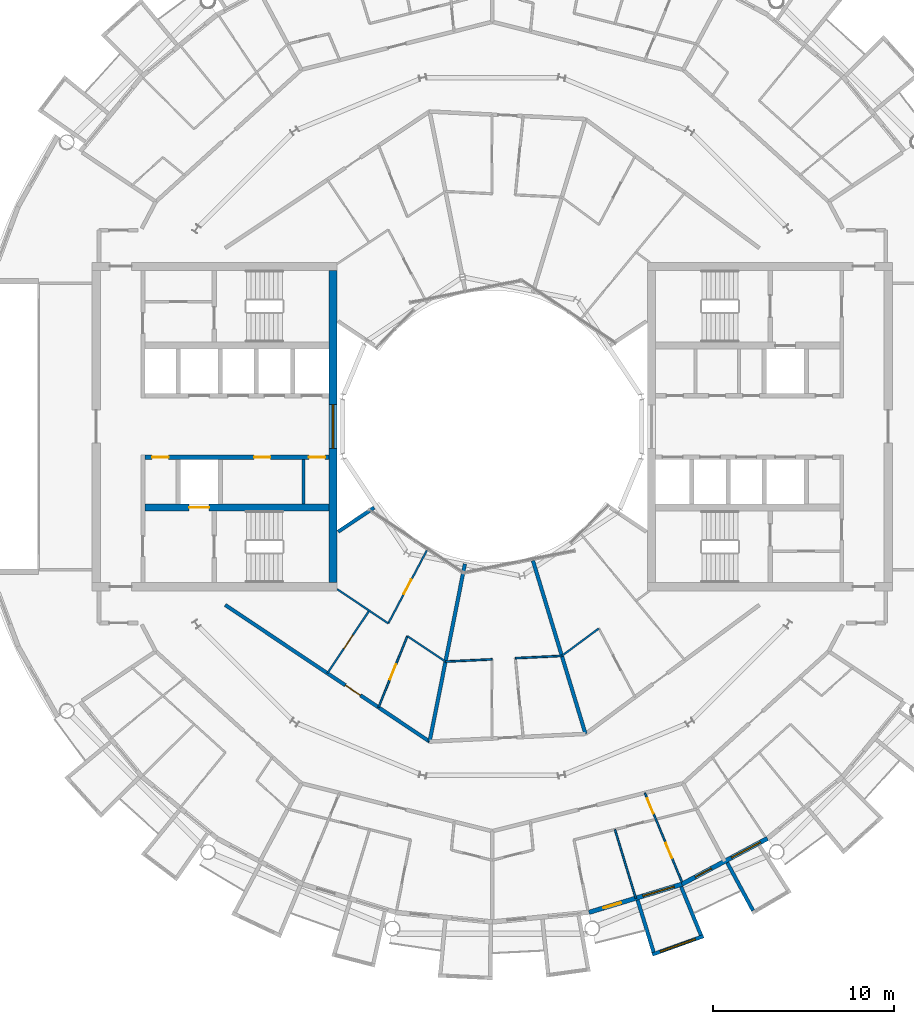
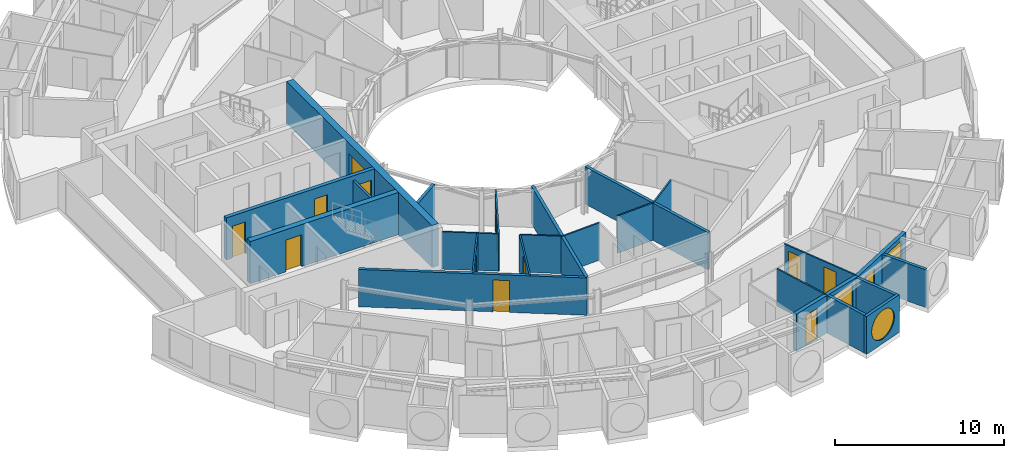
# One storey, part 17 of 29: 24 walls, 12 doors, 4 windows, 16 openings.
"""IFC4 building model written with IfcOpenShell, lengths in metres."""

import ifcopenshell
import ifcopenshell.guid

model = None  # the IFC model being written
_history = None  # IfcOwnerHistory: only IFC2X3 demands one
_inside = {}  # id of a spatial element -> (the spatial element, [elements in it])
_under = {}  # id of a project, library or spatial element -> (it, [spatial elements below it])
_declared = {}  # id of a project -> (the project, [libraries it declares])
_typed = {}  # id of a type object -> (the type object, [elements of that type])
_made_of = {}  # id of a material, layer set ... -> (it, [elements and type objects made of it])


def new_model(schema):
    """Start an empty IFC model of exactly this schema.

    Asked for "IFC4X3", IfcOpenShell would pick the latest addendum, in which some entities
    have other attributes; the version numbers below select the first issue.
    IFC2X3 requires an IfcOwnerHistory on every rooted entity: one is made here for all.
    """
    global model, _history
    if schema == "IFC4X3":
        model = ifcopenshell.file(schema_version=(4, 3, 0, 0))
    else:
        model = ifcopenshell.file(schema=schema)
    _inside.clear()
    _under.clear()
    _declared.clear()
    _typed.clear()
    _made_of.clear()
    _history = None
    if model.schema == "IFC2X3":
        org = make("IfcOrganization", Name="unknown")
        user = make(
            "IfcPersonAndOrganization",
            ThePerson=make("IfcPerson", FamilyName="unknown"),
            TheOrganization=org,
        )
        app = make(
            "IfcApplication",
            ApplicationDeveloper=org,
            Version="unknown",
            ApplicationFullName="unknown",
            ApplicationIdentifier="unknown",
        )
        _history = make(
            "IfcOwnerHistory",
            OwningUser=user,
            OwningApplication=app,
            ChangeAction="ADDED",
            CreationDate=0,
        )
    return model


def make(cls, **values):
    """One entity of the class cls with the attributes given. An attribute that is None is left unset."""
    return model.create_entity(
        cls, **{name: value for name, value in values.items() if value is not None}
    )


def rooted(cls, **values):
    """An entity with a GlobalId (a new one), such as an element, a storey or a relation."""
    return make(cls, GlobalId=ifcopenshell.guid.new(), OwnerHistory=_history, **values)


def si_unit(unit_type, name, prefix=None):
    """IfcSIUnit, for example si_unit("LENGTHUNIT", "METRE", prefix="MILLI")."""
    return make("IfcSIUnit", UnitType=unit_type, Prefix=prefix, Name=name)


def assignment(units):
    """IfcUnitAssignment: the units of a project."""
    return None if units is None else make("IfcUnitAssignment", Units=units)


def point(xyz):
    """IfcCartesianPoint."""
    return None if xyz is None else make("IfcCartesianPoint", Coordinates=xyz)


def direction(xyz):
    """IfcDirection."""
    return None if xyz is None else make("IfcDirection", DirectionRatios=xyz)


def frame(location, z_axis=None, x_axis=None):
    """IfcAxis2Placement3D, a coordinate frame: its origin and axes. An axis left out is left unset."""
    return make(
        "IfcAxis2Placement3D",
        Location=point(location),
        Axis=direction(z_axis),
        RefDirection=direction(x_axis),
    )


def frame_2d(location, x_axis=None):
    """IfcAxis2Placement2D, a coordinate frame in the plane: its origin and x axis."""
    return make(
        "IfcAxis2Placement2D", Location=point(location), RefDirection=direction(x_axis)
    )


def origin():
    """The frame at (0, 0, 0) with its axes left unset."""
    return frame((0.0, 0.0, 0.0))


def place(relative_to, where):
    """IfcLocalPlacement: puts the frame where relative to a parent placement (None: the world)."""
    return make(
        "IfcLocalPlacement", PlacementRelTo=relative_to, RelativePlacement=where
    )


def context(
    kind, dimensions, precision=None, world=None, true_north=None, identifier=None
):
    """IfcGeometricRepresentationContext, for example the 3D "Model" context."""
    return make(
        "IfcGeometricRepresentationContext",
        ContextIdentifier=identifier,
        ContextType=kind,
        CoordinateSpaceDimension=dimensions,
        Precision=precision,
        WorldCoordinateSystem=world,
        TrueNorth=true_north,
    )


def subcontext(parent, identifier, kind, view, scale=None):
    """IfcGeometricRepresentationSubContext, for example "Body" below "Model"."""
    return make(
        "IfcGeometricRepresentationSubContext",
        ContextIdentifier=identifier,
        ContextType=kind,
        ParentContext=parent,
        TargetScale=scale,
        TargetView=view,
    )


def project(units=None, contexts=None):
    """IfcProject with its units and contexts."""
    return rooted(
        "IfcProject",
        Name="project",
        RepresentationContexts=contexts,
        UnitsInContext=assignment(units),
    )


def spatial(cls, under=None, at=None, **own):
    """A site, building, storey or space (cls), placed at a placement, below another one or the project."""
    s = rooted(cls, ObjectPlacement=at, **own)
    if under is not None:
        _under.setdefault(under.id(), (under, []))[1].append(s)
    return s


def profile(cls, at=None, kind="AREA", **sizes):
    """A parametric profile (cls). Its sizes go by their IFC names, for example OverallWidth=200.0."""
    return make(cls, ProfileType=kind, Position=at, **sizes)


def rectangle(**sizes):
    """IfcRectangleProfileDef."""
    return profile("IfcRectangleProfileDef", **sizes)


def circle(**sizes):
    """IfcCircleProfileDef."""
    return profile("IfcCircleProfileDef", **sizes)


def extrude(swept, where, along, depth):
    """IfcExtrudedAreaSolid: the profile swept, set in the frame where, extruded along a direction by depth."""
    return make(
        "IfcExtrudedAreaSolid",
        SweptArea=swept,
        Position=where,
        ExtrudedDirection=direction(along),
        Depth=depth,
    )


def shape(context_of_items, identifier, shape_type, items):
    """IfcShapeRepresentation: the items that make up one representation, for example the "Body"."""
    return make(
        "IfcShapeRepresentation",
        ContextOfItems=context_of_items,
        RepresentationIdentifier=identifier,
        RepresentationType=shape_type,
        Items=items,
    )


def material(Name=None, Category=None):
    """IfcMaterial."""
    return make("IfcMaterial", Name=Name, Category=Category)


def layer(
    of_material, thickness, ventilated=None, Name=None, Category=None, Priority=None
):
    """IfcMaterialLayer: one layer of a wall or slab, of a material (None: an air gap)."""
    return make(
        "IfcMaterialLayer",
        Material=of_material,
        LayerThickness=thickness,
        IsVentilated=ventilated,
        Name=Name,
        Category=Category,
        Priority=Priority,
    )


def layer_set(layers, Name=None):
    """IfcMaterialLayerSet."""
    return make("IfcMaterialLayerSet", MaterialLayers=layers, LayerSetName=Name)


def made_of(thing, what):
    """Note that an element or type object is made of a material, layer set ...; save() writes the relation."""
    if what is not None:
        _made_of.setdefault(what.id(), (what, []))[1].append(thing)
    return thing


def type_object(cls, material=None, **own):
    """A type object (cls), such as IfcWallType, which elements share."""
    return made_of(rooted(cls, **own), material)


def element(
    cls,
    number,
    at=None,
    inside=None,
    cuts=None,
    type_object=None,
    material=None,
    context=None,
    identifier="Body",
    shape_type=None,
    held_by="IfcProductDefinitionShape",
    body=None,
    shapes=None,
    **own,
):
    """One element of the class cls, such as IfcWall. Its Tag is "e" and its number.

    at: its placement. inside: the storey or other place that contains it. cuts: it is an
    opening in that element (IfcRelVoidsElement). A single representation is given by context,
    identifier, shape_type and body (its items); several are given by shapes. held_by: the class
    of the entity that holds the representations. save() writes the other relations.
    """
    e = rooted(cls, Tag="e%d" % number, ObjectPlacement=at, **own)
    if body is not None:
        shapes = [shape(context, identifier, shape_type, body)]
    if shapes is not None:
        e.Representation = make(held_by, Representations=shapes)
    if inside is not None:
        _inside.setdefault(inside.id(), (inside, []))[1].append(e)
    if cuts is not None:
        rooted(
            "IfcRelVoidsElement", RelatingBuildingElement=cuts, RelatedOpeningElement=e
        )
    if type_object is not None:
        _typed.setdefault(type_object.id(), (type_object, []))[1].append(e)
    return made_of(e, material)


def fill(opening, filler):
    """IfcRelFillsElement: the door or window that sits in an opening."""
    return rooted(
        "IfcRelFillsElement",
        RelatingOpeningElement=opening,
        RelatedBuildingElement=filler,
    )


def aggregate(whole, parts):
    """IfcRelAggregates: a whole, such as a stair, and the parts it consists of."""
    return rooted("IfcRelAggregates", RelatingObject=whole, RelatedObjects=parts)


def save(model, path):
    """Write the relations noted so far, then the file.

    IfcRelAggregates (storeys below a building ...), IfcRelContainedInSpatialStructure (elements
    in a storey), IfcRelDefinesByType, IfcRelAssociatesMaterial and IfcRelDeclares: one each for
    every whole, place, type object, material and project.
    """
    for whole, parts in _under.values():
        aggregate(whole, parts)
    for where, things in _inside.values():
        rooted(
            "IfcRelContainedInSpatialStructure",
            RelatedElements=things,
            RelatingStructure=where,
        )
    for kind, things in _typed.values():
        rooted("IfcRelDefinesByType", RelatedObjects=things, RelatingType=kind)
    for what, things in _made_of.values():
        rooted("IfcRelAssociatesMaterial", RelatedObjects=things, RelatingMaterial=what)
    for by, libraries in _declared.values():
        rooted("IfcRelDeclares", RelatingContext=by, RelatedDefinitions=libraries)
    model.write(path)


model = new_model("IFC4")

# Units and contexts
model_context = context("Model", 3, precision=1e-05, world=origin(), true_north=direction((0.0, 1.0)))
body_context = subcontext(model_context, "Body", "Model", "MODEL_VIEW")
ifc_project = project(units=[si_unit("LENGTHUNIT", "METRE"), si_unit("AREAUNIT", "SQUARE_METRE"), si_unit("VOLUMEUNIT", "CUBIC_METRE"), si_unit("PLANEANGLEUNIT", "RADIAN"), si_unit("MASSUNIT", "GRAM", prefix="KILO")], contexts=[model_context])

# Site, building, storey
site_placement = place(None, origin())
site = spatial("IfcSite", under=ifc_project, at=site_placement, CompositionType="ELEMENT")
building_placement = place(site_placement, origin())
building = spatial("IfcBuilding", under=site, at=building_placement, Name="Maasbend Ring Residences", CompositionType="ELEMENT")
storey_placement = place(building_placement, frame((0.0, 0.0, 193.25)))
storey = spatial("IfcBuildingStorey", under=building, at=storey_placement, Name="L55", CompositionType="ELEMENT", Elevation=193.25)

# Wall, openings, doors
ifc_material_1 = material(Name="Concrete C50/60", Category="concrete")
ifc_layer_1 = layer(ifc_material_1, 0.25)
ifc_layer_set_1 = layer_set([ifc_layer_1], Name="Concrete C50/60")
wall_type_1 = type_object("IfcWallType", Name="CORE WALL 250 C50/60", PredefinedType="SHEAR", material=ifc_layer_set_1)
wall_1_placement = place(storey_placement, frame((-9.0, -1.699951171875, 0.0), z_axis=(0.0, 0.0, 1.0), x_axis=(-1.0, 0.0, 0.0)))
wall_1 = element("IfcWall", 1, at=wall_1_placement, inside=storey, type_object=wall_type_1, Name="L55 core W wall SPN", PredefinedType="SHEAR", context=body_context, shape_type="SweptSolid", body=[
    extrude(rectangle(XDim=10.14990234375, YDim=0.25, at=frame_2d((5.074951171875, 0.0))), origin(), (0.0, 0.0, 1.0), 3.050048828125),
])
opening_1_placement = place(wall_1_placement, frame((0.21240234375, 0.0, 0.0)))
opening_1 = element("IfcOpeningElement", 2, at=opening_1_placement, cuts=wall_1, Name="Opening D-W5506", PredefinedType="OPENING", context=body_context, shape_type="SweptSolid", body=[
    extrude(rectangle(XDim=0.89990234375, YDim=2.300048828125, at=frame_2d((0.449951171875, 1.14990234375))), frame((0.0, 0.135009765625, 0.0), z_axis=(0.0, -1.0, 0.0), x_axis=(1.0, 0.0, 0.0)), (0.0, 0.0, 1.0), 0.27001953125),
])
opening_2_placement = place(wall_1_placement, frame((3.22509765625, 0.0, 0.0)))
opening_2 = element("IfcOpeningElement", 3, at=opening_2_placement, cuts=wall_1, Name="Opening D-W5507", PredefinedType="OPENING", context=body_context, shape_type="SweptSolid", body=[
    extrude(rectangle(XDim=0.89990234375, YDim=2.300048828125, at=frame_2d((0.449951171875, 1.14990234375))), frame((0.0, 0.135009765625, 0.0), z_axis=(0.0, -1.0, 0.0), x_axis=(1.0, 0.0, 0.0)), (0.0, 0.0, 1.0), 0.27001953125),
])
opening_3_placement = place(wall_1_placement, frame((8.83740234375, 0.0, 0.0)))
opening_3 = element("IfcOpeningElement", 4, at=opening_3_placement, cuts=wall_1, Name="Opening D-W5508", PredefinedType="OPENING", context=body_context, shape_type="SweptSolid", body=[
    extrude(rectangle(XDim=0.89990234375, YDim=2.300048828125, at=frame_2d((0.449951171875, 1.14990234375))), frame((0.0, 0.135009765625, 0.0), z_axis=(0.0, -1.0, 0.0), x_axis=(1.0, 0.0, 0.0)), (0.0, 0.0, 1.0), 0.27001953125),
])
ifc_material_2 = material(Name="Steel, powder coated", Category="steel")
door_type_1 = type_object("IfcDoorType", Name="ROOM DOOR 900 X 2300 FD30S", OperationType="NOTDEFINED", PredefinedType="DOOR", material=ifc_material_2)
door_1_placement = place(opening_1_placement, origin())
door_1 = element("IfcDoor", 5, at=door_1_placement, inside=storey, type_object=door_type_1, Name="Room door L55", OperationType="SINGLE_SWING_RIGHT", OverallHeight=2.300048828125, OverallWidth=0.89990234375, PredefinedType="DOOR", context=body_context, shape_type="SweptSolid", body=[
    extrude(rectangle(XDim=0.89990234375, YDim=2.300048828125, at=frame_2d((0.449951171875, 1.14990234375))), frame((0.0, 0.02490234375, 0.0), z_axis=(0.0, -1.0, 0.0), x_axis=(1.0, 0.0, 0.0)), (0.0, 0.0, 1.0), 0.050048828125),
])
fill(opening_1, door_1)
door_2_placement = place(opening_2_placement, origin())
door_2 = element("IfcDoor", 6, at=door_2_placement, inside=storey, type_object=door_type_1, Name="Room door L55", OperationType="SINGLE_SWING_RIGHT", OverallHeight=2.300048828125, OverallWidth=0.89990234375, PredefinedType="DOOR", context=body_context, shape_type="SweptSolid", body=[
    extrude(rectangle(XDim=0.89990234375, YDim=2.300048828125, at=frame_2d((0.449951171875, 1.14990234375))), frame((0.0, 0.02490234375, 0.0), z_axis=(0.0, -1.0, 0.0), x_axis=(1.0, 0.0, 0.0)), (0.0, 0.0, 1.0), 0.050048828125),
])
fill(opening_2, door_2)
door_3_placement = place(opening_3_placement, origin())
door_3 = element("IfcDoor", 7, at=door_3_placement, inside=storey, type_object=door_type_1, Name="Room door L55", OperationType="SINGLE_SWING_LEFT", OverallHeight=2.300048828125, OverallWidth=0.89990234375, PredefinedType="DOOR", context=body_context, shape_type="SweptSolid", body=[
    extrude(rectangle(XDim=0.89990234375, YDim=2.300048828125, at=frame_2d((0.449951171875, 1.14990234375))), frame((0.0, 0.02490234375, 0.0), z_axis=(0.0, -1.0, 0.0), x_axis=(1.0, 0.0, 0.0)), (0.0, 0.0, 1.0), 0.050048828125),
])
fill(opening_3, door_3)

# Wall, opening, door
ifc_material_3 = material(Name="Concrete C50/60", Category="concrete")
ifc_layer_2 = layer(ifc_material_3, 0.375)
ifc_layer_set_2 = layer_set([ifc_layer_2], Name="Concrete C50/60")
wall_type_2 = type_object("IfcWallType", Name="CORE WALL 375 C50/60", PredefinedType="SHEAR", material=ifc_layer_set_2)
wall_2_placement = place(storey_placement, frame((-9.0, -4.46240234375, 0.0), z_axis=(0.0, 0.0, 1.0), x_axis=(-1.0, 0.0, 0.0)))
wall_2 = element("IfcWall", 8, at=wall_2_placement, inside=storey, type_object=wall_type_2, Name="L55 core W wall BN", PredefinedType="SHEAR", context=body_context, shape_type="SweptSolid", body=[
    extrude(rectangle(XDim=10.14990234375, YDim=0.375, at=frame_2d((5.074951171875, 0.0))), origin(), (0.0, 0.0, 1.0), 3.050048828125),
])
opening_4_placement = place(wall_2_placement, frame((6.60009765625, 0.0, 0.0)))
opening_4 = element("IfcOpeningElement", 9, at=opening_4_placement, cuts=wall_2, Name="Opening LD-W5501", PredefinedType="OPENING", context=body_context, shape_type="SweptSolid", body=[
    extrude(rectangle(XDim=1.10009765625, YDim=2.300048828125, at=frame_2d((0.550048828125, 1.14990234375))), frame((0.0, 0.197509765625, 0.0), z_axis=(0.0, -1.0, 0.0), x_axis=(1.0, 0.0, 0.0)), (0.0, 0.0, 1.0), 0.39501953125),
])
ifc_material_4 = material(Name="Stainless steel 316", Category="steel")
door_type_2 = type_object("IfcDoorType", Name="LANDING DOOR 1100 X 2300 FD60", OperationType="DOUBLE_DOOR_SLIDING", PredefinedType="DOOR", material=ifc_material_4)
door_4_placement = place(opening_4_placement, origin())
door_4 = element("IfcDoor", 10, at=door_4_placement, inside=storey, type_object=door_type_2, Name="Landing door FF-W L55", OperationType="DOUBLE_DOOR_SLIDING", OverallHeight=2.300048828125, OverallWidth=1.10009765625, PredefinedType="DOOR", context=body_context, shape_type="SweptSolid", body=[
    extrude(rectangle(XDim=1.10009765625, YDim=2.300048828125, at=frame_2d((0.550048828125, 1.14990234375))), frame((0.0, 0.02490234375, 0.0), z_axis=(0.0, -1.0, 0.0), x_axis=(1.0, 0.0, 0.0)), (0.0, 0.0, 1.0), 0.050048828125),
])
fill(opening_4, door_4)

# Wall, opening, window
ifc_material_5 = material(Name="Concrete C50/60", Category="concrete")
ifc_layer_3 = layer(ifc_material_5, 0.449951171875)
ifc_layer_set_3 = layer_set([ifc_layer_3], Name="Concrete C50/60")
wall_type_3 = type_object("IfcWallType", Name="CORE WALL 450 C50/60", PredefinedType="SHEAR", material=ifc_layer_set_3)
wall_3_placement = place(storey_placement, frame((-8.77490234375, 8.60009765625, 0.0), z_axis=(0.0, 0.0, 1.0), x_axis=(0.0, -1.0, 0.0)))
wall_3 = element("IfcWall", 11, at=wall_3_placement, inside=storey, type_object=wall_type_3, Name="L55 core W wall PIN", PredefinedType="SHEAR", context=body_context, shape_type="SweptSolid", body=[
    extrude(rectangle(XDim=17.2001953125, YDim=0.449951171875, at=frame_2d((8.60009765625, 0.0))), origin(), (0.0, 0.0, 1.0), 3.050048828125),
])
opening_5_placement = place(wall_3_placement, frame((7.39990234375, 0.0, 0.10009765625)))
opening_5 = element("IfcOpeningElement", 12, at=opening_5_placement, cuts=wall_3, Name="Opening W-W5501", PredefinedType="OPENING", context=body_context, shape_type="SweptSolid", body=[
    extrude(rectangle(XDim=2.39990234375, YDim=2.199951171875, at=frame_2d((1.199951171875, 1.10009765625))), frame((0.0, 0.23486328125, 0.0), z_axis=(0.0, -1.0, 0.0), x_axis=(1.0, 0.0, 0.0)), (0.0, 0.0, 1.0), 0.469970703125),
])
ifc_material_6 = material(Name="Aluminium frame and clear glass", Category="aluminium")
window_type_1 = type_object("IfcWindowType", Name="FIXED WINDOW 2400 X 2200", PartitioningType="SINGLE_PANEL", PredefinedType="WINDOW", material=ifc_material_6)
window_1_placement = place(opening_5_placement, origin())
window_1 = element("IfcWindow", 13, at=window_1_placement, inside=storey, type_object=window_type_1, Name="Lobby window L55", OverallHeight=2.199951171875, OverallWidth=2.39990234375, PartitioningType="SINGLE_PANEL", PredefinedType="WINDOW", context=body_context, shape_type="SweptSolid", body=[
    extrude(rectangle(XDim=2.39990234375, YDim=2.199951171875, at=frame_2d((1.199951171875, 1.10009765625))), frame((0.0, 0.030029296875, 0.0), z_axis=(0.0, -1.0, 0.0), x_axis=(1.0, 0.0, 0.0)), (0.0, 0.0, 1.0), 0.06005859375),
])
fill(opening_5, window_1)

# Wall, opening, door
ifc_material_7 = material(Name="Concrete C30/37", Category="concrete")
ifc_layer_4 = layer(ifc_material_7, 0.199951171875)
ifc_layer_set_4 = layer_set([ifc_layer_4], Name="Concrete C30/37")
wall_type_4 = type_object("IfcWallType", Name="CORRIDOR WALL 200 CONCRETE", PredefinedType="PARTITIONING", material=ifc_layer_set_4)
wall_4_placement = place(storey_placement, frame((-14.717041015625, -9.833984375, 0.0), z_axis=(0.0, 0.0, 1.0), x_axis=(0.831492679744, -0.555535708603, 0.0)))
wall_4 = element("IfcWall", 14, at=wall_4_placement, inside=storey, type_object=wall_type_4, Name="U-L55-w019", PredefinedType="PARTITIONING", context=body_context, shape_type="SweptSolid", body=[
    extrude(rectangle(XDim=13.54931640625, YDim=0.199951171875, at=frame_2d((6.774658203125, 0.0))), origin(), (0.0, 0.0, 1.0), 2.699951171875),
])
opening_6_placement = place(wall_4_placement, frame((7.966064453125, 0.0, 0.0)))
opening_6 = element("IfcOpeningElement", 15, at=opening_6_placement, cuts=wall_4, Name="Opening D-5560", PredefinedType="OPENING", context=body_context, shape_type="SweptSolid", body=[
    extrude(rectangle(XDim=1.0, YDim=2.300048828125, at=frame_2d((0.5, 1.14990234375))), frame((0.0, 0.10986328125, 0.0), z_axis=(0.0, -1.0, 0.0), x_axis=(1.0, 0.0, 0.0)), (0.0, 0.0, 1.0), 0.219970703125),
])
ifc_material_8 = material(Name="Timber, fire-rated, painted", Category="wood")
door_type_3 = type_object("IfcDoorType", Name="FLAT ENTRANCE DOOR 1000 X 2300 FIRE-RATED", OperationType="NOTDEFINED", PredefinedType="DOOR", material=ifc_material_8)
door_5_placement = place(opening_6_placement, origin())
door_5 = element("IfcDoor", 16, at=door_5_placement, inside=storey, type_object=door_type_3, Name="D-5560", OperationType="SINGLE_SWING_RIGHT", OverallHeight=2.300048828125, OverallWidth=1.0, PredefinedType="DOOR", context=body_context, shape_type="SweptSolid", body=[
    extrude(rectangle(XDim=1.0, YDim=2.300048828125, at=frame_2d((0.5, 1.14990234375))), frame((0.0, 0.02490234375, 0.0), z_axis=(0.0, -1.0, 0.0), x_axis=(1.0, 0.0, 0.0)), (0.0, 0.0, 1.0), 0.050048828125),
])
fill(opening_6, door_5)

# Wall, opening, window
ifc_material_9 = material(Name="Pale anodised aluminium panel", Category="aluminium")
ifc_layer_5 = layer(ifc_material_9, 0.199951171875)
ifc_layer_set_5 = layer_set([ifc_layer_5], Name="EW-BOX")
wall_type_5 = type_object("IfcWallType", Name="EW-BOX", PredefinedType="SOLIDWALL", material=ifc_layer_set_5)
wall_5_placement = place(storey_placement, frame((8.820068359375, -29.093017578125, -0.030029296875), z_axis=(0.0, 0.0, 1.0), x_axis=(0.941461077774, 0.337121697664, 0.0)))
wall_5 = element("IfcWall", 17, at=wall_5_placement, inside=storey, type_object=wall_type_5, Name="Box front S14", PredefinedType="SOLIDWALL", context=body_context, shape_type="SweptSolid", body=[
    extrude(rectangle(XDim=2.9931640625, YDim=0.199951171875, at=frame_2d((1.49658203125, 0.0))), origin(), (0.0, 0.0, 1.0), 2.72998046875),
])
opening_7_placement = place(wall_5_placement, frame((0.45654296875, 0.0, 0.330078125)))
opening_7 = element("IfcOpeningElement", 18, at=opening_7_placement, cuts=wall_5, Name="Opening W-RD", PredefinedType="OPENING", context=body_context, shape_type="SweptSolid", body=[
    extrude(circle(Radius=1.0400390625, at=frame_2d((1.0400390625, 1.0400390625))), frame((0.0, 0.10986328125, 0.0), z_axis=(0.0, -1.0, 0.0), x_axis=(1.0, 0.0, 0.0)), (0.0, 0.0, 1.0), 0.219970703125),
])
ifc_material_10 = material(Name="Aluminium and clear glass", Category="aluminium")
window_type_2 = type_object("IfcWindowType", Name="W-RD", PartitioningType="SINGLE_PANEL", PredefinedType="WINDOW", material=ifc_material_10)
window_2_placement = place(opening_7_placement, origin())
window_2 = element("IfcWindow", 19, at=window_2_placement, inside=storey, type_object=window_type_2, Name="Round window S14", OverallHeight=2.080078125, OverallWidth=2.080078125, PartitioningType="SINGLE_PANEL", PredefinedType="WINDOW", context=body_context, shape_type="SweptSolid", body=[
    extrude(circle(Radius=1.0400390625, at=frame_2d((1.0400390625, 1.0400390625))), frame((0.0, 0.030029296875, 0.0), z_axis=(0.0, -1.0, 0.0), x_axis=(1.0, 0.0, 0.0)), (0.0, 0.0, 1.0), 0.06005859375),
])
fill(opening_7, window_2)

# Walls
wall_6_placement = place(storey_placement, frame((8.009033203125, -26.092041015625, -0.030029296875), z_axis=(0.0, 0.0, 1.0), x_axis=(0.293406695073, -0.955987715029, 0.0)))
element("IfcWall", 20, at=wall_6_placement, inside=storey, type_object=wall_type_5, Name="Box side wall S14 left", PredefinedType="SOLIDWALL", context=body_context, shape_type="SweptSolid", body=[
    extrude(rectangle(XDim=3.00634765625, YDim=0.199951171875, at=frame_2d((1.503173828125, 0.0))), origin(), (0.0, 0.0, 1.0), 2.72998046875),
])
wall_7_placement = place(storey_placement, frame((10.408935546875, -25.364013671875, -0.030029296875), z_axis=(0.0, 0.0, 1.0), x_axis=(0.379509886562, -0.925187681501, 0.0)))
element("IfcWall", 21, at=wall_7_placement, inside=storey, type_object=wall_type_5, Name="Box side wall S14 right", PredefinedType="SOLIDWALL", context=body_context, shape_type="SweptSolid", body=[
    extrude(rectangle(XDim=2.882568359375, YDim=0.199951171875, at=frame_2d((1.44140625, 0.0))), origin(), (0.0, 0.0, 1.0), 2.72998046875),
])
wall_8_placement = place(storey_placement, frame((12.945068359375, -24.029052734375, -0.030029296875), z_axis=(0.0, 0.0, 1.0), x_axis=(0.474424310775, -0.88029629861, 0.0)))
element("IfcWall", 22, at=wall_8_placement, inside=storey, type_object=wall_type_5, Name="Box side wall S16 left", PredefinedType="SOLIDWALL", context=body_context, shape_type="SweptSolid", body=[
    extrude(rectangle(XDim=3.005859375, YDim=0.199951171875, at=frame_2d((1.5029296875, 0.0))), origin(), (0.0, 0.0, 1.0), 2.72998046875),
])

# Wall, openings, door, window
ifc_material_11 = material(Name="Aluminium clad insulated panel", Category="aluminium")
ifc_layer_6 = layer(ifc_material_11, 0.25)
ifc_layer_set_6 = layer_set([ifc_layer_6], Name="EW-GL")
wall_type_6 = type_object("IfcWallType", Name="EW-GL", PredefinedType="SOLIDWALL", material=ifc_layer_set_6)
wall_9_placement = place(storey_placement, frame((5.325927734375, -26.77490234375, 0.0), z_axis=(0.0, 0.0, 1.0), x_axis=(0.956965678721, 0.290201119486, 0.0)))
wall_9 = element("IfcWall", 23, at=wall_9_placement, inside=storey, type_object=wall_type_6, Name="External wall S07", PredefinedType="SOLIDWALL", context=body_context, shape_type="SweptSolid", body=[
    extrude(rectangle(XDim=5.351318359375, YDim=0.25, at=frame_2d((2.67578125, 0.0))), origin(), (0.0, 0.0, 1.0), 2.699951171875),
])
opening_8_placement = place(wall_9_placement, frame((0.841064453125, 0.0, 0.0)))
opening_8 = element("IfcOpeningElement", 24, at=opening_8_placement, cuts=wall_9, Name="Opening D-LG", PredefinedType="OPENING", context=body_context, shape_type="SweptSolid", body=[
    extrude(rectangle(XDim=1.0, YDim=2.199951171875, at=frame_2d((0.5, 1.10009765625))), frame((0.0, 0.135009765625, 0.0), z_axis=(0.0, -1.0, 0.0), x_axis=(1.0, 0.0, 0.0)), (0.0, 0.0, 1.0), 0.27001953125),
])
opening_9_placement = place(wall_9_placement, frame((3.110595703125, 0.0, 0.300048828125)))
opening_9 = element("IfcOpeningElement", 25, at=opening_9_placement, cuts=wall_9, Name="Opening W-BX", PredefinedType="OPENING", context=body_context, shape_type="SweptSolid", body=[
    extrude(rectangle(XDim=1.800048828125, YDim=2.10009765625, at=frame_2d((0.89990234375, 1.050048828125))), frame((0.0, 0.135009765625, 0.0), z_axis=(0.0, -1.0, 0.0), x_axis=(1.0, 0.0, 0.0)), (0.0, 0.0, 1.0), 0.27001953125),
])
ifc_material_12 = material(Name="Aluminium and clear glass", Category="aluminium")
door_type_4 = type_object("IfcDoorType", Name="D-LG", OperationType="SINGLE_SWING_LEFT", PredefinedType="DOOR", material=ifc_material_12)
door_6_placement = place(opening_8_placement, origin())
door_6 = element("IfcDoor", 26, at=door_6_placement, inside=storey, type_object=door_type_4, Name="Loggia door S13", OperationType="SINGLE_SWING_LEFT", OverallHeight=2.199951171875, OverallWidth=1.0, PredefinedType="DOOR", context=body_context, shape_type="SweptSolid", body=[
    extrude(rectangle(XDim=1.0, YDim=2.199951171875, at=frame_2d((0.5, 1.10009765625))), frame((0.0, 0.02490234375, 0.0), z_axis=(0.0, -1.0, 0.0), x_axis=(1.0, 0.0, 0.0)), (0.0, 0.0, 1.0), 0.050048828125),
])
fill(opening_8, door_6)
ifc_material_13 = material(Name="Aluminium and clear glass", Category="aluminium")
window_type_3 = type_object("IfcWindowType", Name="W-BX", PartitioningType="DOUBLE_PANEL_VERTICAL", PredefinedType="WINDOW", material=ifc_material_13)
window_3_placement = place(opening_9_placement, origin())
window_3 = element("IfcWindow", 27, at=window_3_placement, inside=storey, type_object=window_type_3, Name="Window S14 room to box", OverallHeight=2.10009765625, OverallWidth=1.800048828125, PartitioningType="SINGLE_PANEL", PredefinedType="WINDOW", context=body_context, shape_type="SweptSolid", body=[
    extrude(rectangle(XDim=1.800048828125, YDim=2.10009765625, at=frame_2d((0.89990234375, 1.050048828125))), frame((0.0, 0.030029296875, 0.0), z_axis=(0.0, -1.0, 0.0), x_axis=(1.0, 0.0, 0.0)), (0.0, 0.0, 1.0), 0.06005859375),
])
fill(opening_9, window_3)

wall_10_placement = place(storey_placement, frame((10.447021484375, -25.221923828125, 0.0), z_axis=(0.0, 0.0, 1.0), x_axis=(0.881915646801, 0.471407246368, 0.0)))
wall_10 = element("IfcWall", 28, at=wall_10_placement, inside=storey, type_object=wall_type_6, Name="External wall S08", PredefinedType="SOLIDWALL", context=body_context, shape_type="SweptSolid", body=[
    extrude(rectangle(XDim=5.35205078125, YDim=0.25, at=frame_2d((2.676025390625, 0.0))), origin(), (0.0, 0.0, 1.0), 2.699951171875),
])
opening_10_placement = place(wall_10_placement, frame((0.841064453125, 0.0, 0.0)))
opening_10 = element("IfcOpeningElement", 29, at=opening_10_placement, cuts=wall_10, Name="Opening D-LG", PredefinedType="OPENING", context=body_context, shape_type="SweptSolid", body=[
    extrude(rectangle(XDim=1.0, YDim=2.199951171875, at=frame_2d((0.5, 1.10009765625))), frame((0.0, 0.135009765625, 0.0), z_axis=(0.0, -1.0, 0.0), x_axis=(1.0, 0.0, 0.0)), (0.0, 0.0, 1.0), 0.27001953125),
])
opening_11_placement = place(wall_10_placement, frame((3.110595703125, 0.0, 0.300048828125)))
opening_11 = element("IfcOpeningElement", 30, at=opening_11_placement, cuts=wall_10, Name="Opening W-BX", PredefinedType="OPENING", context=body_context, shape_type="SweptSolid", body=[
    extrude(rectangle(XDim=1.800048828125, YDim=2.10009765625, at=frame_2d((0.89990234375, 1.050048828125))), frame((0.0, 0.135009765625, 0.0), z_axis=(0.0, -1.0, 0.0), x_axis=(1.0, 0.0, 0.0)), (0.0, 0.0, 1.0), 0.27001953125),
])
door_7_placement = place(opening_10_placement, origin())
door_7 = element("IfcDoor", 31, at=door_7_placement, inside=storey, type_object=door_type_4, Name="Loggia door S15", OperationType="SINGLE_SWING_LEFT", OverallHeight=2.199951171875, OverallWidth=1.0, PredefinedType="DOOR", context=body_context, shape_type="SweptSolid", body=[
    extrude(rectangle(XDim=1.0, YDim=2.199951171875, at=frame_2d((0.5, 1.10009765625))), frame((0.0, 0.02490234375, 0.0), z_axis=(0.0, -1.0, 0.0), x_axis=(1.0, 0.0, 0.0)), (0.0, 0.0, 1.0), 0.050048828125),
])
fill(opening_10, door_7)
window_4_placement = place(opening_11_placement, origin())
window_4 = element("IfcWindow", 32, at=window_4_placement, inside=storey, type_object=window_type_3, Name="Window S16 room to box", OverallHeight=2.10009765625, OverallWidth=1.800048828125, PartitioningType="SINGLE_PANEL", PredefinedType="WINDOW", context=body_context, shape_type="SweptSolid", body=[
    extrude(rectangle(XDim=1.800048828125, YDim=2.10009765625, at=frame_2d((0.89990234375, 1.050048828125))), frame((0.0, 0.030029296875, 0.0), z_axis=(0.0, -1.0, 0.0), x_axis=(1.0, 0.0, 0.0)), (0.0, 0.0, 1.0), 0.06005859375),
])
fill(opening_11, window_4)

# Walls
ifc_material_14 = material(Name="Gypsum board on steel studs", Category="steel")
ifc_layer_7 = layer(ifc_material_14, 0.10009765625)
ifc_layer_set_7 = layer_set([ifc_layer_7], Name="PARTITION 100 GYPSUM")
wall_type_7 = type_object("IfcWallType", Name="PARTITION 100 GYPSUM", PredefinedType="PARTITIONING", material=ifc_layer_set_7)
wall_11_placement = place(storey_placement, frame((-2.576904296875, -12.955078125, 0.0), z_axis=(0.0, 0.0, 1.0), x_axis=(0.998796046378, 0.049055659616, 0.0)))
element("IfcWall", 33, at=wall_11_placement, inside=storey, type_object=wall_type_7, Name="U-L55-w020", PredefinedType="PARTITIONING", context=body_context, shape_type="SweptSolid", body=[
    extrude(rectangle(XDim=2.568115234375, YDim=0.10009765625, at=frame_2d((1.2841796875, 0.0))), origin(), (0.0, 0.0, 1.0), 2.699951171875),
])
wall_12_placement = place(storey_placement, frame((1.27001953125, -12.76611328125, 0.0), z_axis=(0.0, 0.0, 1.0), x_axis=(0.998790464653, 0.049169174464, 0.0)))
element("IfcWall", 34, at=wall_12_placement, inside=storey, type_object=wall_type_7, Name="U-L55-w021", PredefinedType="PARTITIONING", context=body_context, shape_type="SweptSolid", body=[
    extrude(rectangle(XDim=2.567138671875, YDim=0.10009765625, at=frame_2d((1.28369140625, 0.0))), origin(), (0.0, 0.0, 1.0), 2.699951171875),
])
wall_13_placement = place(storey_placement, frame((3.830078125, -12.64111328125, 0.0), z_axis=(0.0, 0.0, 1.0), x_axis=(0.803533389313, 0.595259684725, 0.0)))
element("IfcWall", 35, at=wall_13_placement, inside=storey, type_object=wall_type_7, Name="U-L55-w022", PredefinedType="PARTITIONING", context=body_context, shape_type="SweptSolid", body=[
    extrude(rectangle(XDim=2.543701171875, YDim=0.10009765625, at=frame_2d((1.27197265625, 0.0))), origin(), (0.0, 0.0, 1.0), 2.699951171875),
])
wall_14_placement = place(storey_placement, frame((-8.549072265625, -8.965087890625, 0.0), z_axis=(0.0, 0.0, 1.0), x_axis=(0.831463102602, -0.555579975352, 0.0)))
element("IfcWall", 36, at=wall_14_placement, inside=storey, type_object=wall_type_7, Name="U-L55-w024", PredefinedType="PARTITIONING", context=body_context, shape_type="SweptSolid", body=[
    extrude(rectangle(XDim=3.392822265625, YDim=0.10009765625, at=frame_2d((1.6962890625, 0.0))), origin(), (0.0, 0.0, 1.0), 2.699951171875),
])
wall_15_placement = place(storey_placement, frame((-4.677001953125, -11.552001953125, 0.0), z_axis=(0.0, 0.0, 1.0), x_axis=(0.83155963659, -0.555435478517, 0.0)))
element("IfcWall", 37, at=wall_15_placement, inside=storey, type_object=wall_type_7, Name="U-L55-w025", PredefinedType="PARTITIONING", context=body_context, shape_type="SweptSolid", body=[
    extrude(rectangle(XDim=2.52783203125, YDim=0.10009765625, at=frame_2d((1.263916015625, 0.0))), origin(), (0.0, 0.0, 1.0), 2.699951171875),
])

# Wall, opening, door
wall_16_placement = place(storey_placement, frame((-9.0849609375, -13.596923828125, 0.0), z_axis=(0.0, 0.0, 1.0), x_axis=(0.555528237031, 0.831497671591, 0.0)))
wall_16 = element("IfcWall", 38, at=wall_16_placement, inside=storey, type_object=wall_type_7, Name="U-L55-w045", PredefinedType="PARTITIONING", context=body_context, shape_type="SweptSolid", body=[
    extrude(rectangle(XDim=4.149169921875, YDim=0.10009765625, at=frame_2d((2.07470703125, 0.0))), origin(), (0.0, 0.0, 1.0), 2.699951171875),
])
opening_12_placement = place(wall_16_placement, frame((1.625, 0.0, 0.0)))
opening_12 = element("IfcOpeningElement", 39, at=opening_12_placement, cuts=wall_16, Name="Opening D-5562", PredefinedType="OPENING", context=body_context, shape_type="SweptSolid", body=[
    extrude(rectangle(XDim=0.89990234375, YDim=2.300048828125, at=frame_2d((0.449951171875, 1.14990234375))), frame((0.0, 0.06005859375, 0.0), z_axis=(0.0, -1.0, 0.0), x_axis=(1.0, 0.0, 0.0)), (0.0, 0.0, 1.0), 0.1201171875),
])
ifc_material_15 = material(Name="Timber, painted", Category="wood")
door_type_5 = type_object("IfcDoorType", Name="INTERNAL DOOR 900 X 2300", OperationType="NOTDEFINED", PredefinedType="DOOR", material=ifc_material_15)
door_8_placement = place(opening_12_placement, origin())
door_8 = element("IfcDoor", 40, at=door_8_placement, inside=storey, type_object=door_type_5, Name="D-5562", OperationType="SINGLE_SWING_LEFT", OverallHeight=2.300048828125, OverallWidth=0.89990234375, PredefinedType="DOOR", context=body_context, shape_type="SweptSolid", body=[
    extrude(rectangle(XDim=0.89990234375, YDim=2.300048828125, at=frame_2d((0.449951171875, 1.14990234375))), frame((0.0, 0.02490234375, 0.0), z_axis=(0.0, -1.0, 0.0), x_axis=(1.0, 0.0, 0.0)), (0.0, 0.0, 1.0), 0.050048828125),
])
fill(opening_12, door_8)

wall_17_placement = place(storey_placement, frame((-6.26904296875, -15.47802734375, 0.0), z_axis=(0.0, 0.0, 1.0), x_axis=(0.375509828455, 0.926818411952, 0.0)))
wall_17 = element("IfcWall", 41, at=wall_17_placement, inside=storey, type_object=wall_type_7, Name="U-L55-w049", PredefinedType="PARTITIONING", context=body_context, shape_type="SweptSolid", body=[
    extrude(rectangle(XDim=4.237060546875, YDim=0.10009765625, at=frame_2d((2.11865234375, 0.0))), origin(), (0.0, 0.0, 1.0), 2.699951171875),
])
opening_13_placement = place(wall_17_placement, frame((1.6689453125, 0.0, 0.0)))
opening_13 = element("IfcOpeningElement", 42, at=opening_13_placement, cuts=wall_17, Name="Opening D-5561", PredefinedType="OPENING", context=body_context, shape_type="SweptSolid", body=[
    extrude(rectangle(XDim=0.89990234375, YDim=2.300048828125, at=frame_2d((0.449951171875, 1.14990234375))), frame((0.0, 0.06005859375, 0.0), z_axis=(0.0, -1.0, 0.0), x_axis=(1.0, 0.0, 0.0)), (0.0, 0.0, 1.0), 0.1201171875),
])
door_9_placement = place(opening_13_placement, origin())
door_9 = element("IfcDoor", 43, at=door_9_placement, inside=storey, type_object=door_type_5, Name="D-5561", OperationType="SINGLE_SWING_LEFT", OverallHeight=2.300048828125, OverallWidth=0.89990234375, PredefinedType="DOOR", context=body_context, shape_type="SweptSolid", body=[
    extrude(rectangle(XDim=0.89990234375, YDim=2.300048828125, at=frame_2d((0.449951171875, 1.14990234375))), frame((0.0, 0.02490234375, 0.0), z_axis=(0.0, -1.0, 0.0), x_axis=(1.0, 0.0, 0.0)), (0.0, 0.0, 1.0), 0.050048828125),
])
fill(opening_13, door_9)

wall_18_placement = place(storey_placement, frame((-5.72900390625, -10.84912109375, 0.0), z_axis=(0.0, 0.0, 1.0), x_axis=(0.466962677975, 0.884277025246, 0.0)))
wall_18 = element("IfcWall", 44, at=wall_18_placement, inside=storey, type_object=wall_type_7, Name="U-L55-w051", PredefinedType="PARTITIONING", context=body_context, shape_type="SweptSolid", body=[
    extrude(rectangle(XDim=4.548583984375, YDim=0.10009765625, at=frame_2d((2.2744140625, 0.0))), origin(), (0.0, 0.0, 1.0), 2.699951171875),
])
opening_14_placement = place(wall_18_placement, frame((1.823974609375, 0.0, 0.0)))
opening_14 = element("IfcOpeningElement", 45, at=opening_14_placement, cuts=wall_18, Name="Opening D-5563", PredefinedType="OPENING", context=body_context, shape_type="SweptSolid", body=[
    extrude(rectangle(XDim=0.89990234375, YDim=2.300048828125, at=frame_2d((0.449951171875, 1.14990234375))), frame((0.0, 0.06005859375, 0.0), z_axis=(0.0, -1.0, 0.0), x_axis=(1.0, 0.0, 0.0)), (0.0, 0.0, 1.0), 0.1201171875),
])
door_10_placement = place(opening_14_placement, origin())
door_10 = element("IfcDoor", 46, at=door_10_placement, inside=storey, type_object=door_type_5, Name="D-5563", OperationType="SINGLE_SWING_RIGHT", OverallHeight=2.300048828125, OverallWidth=0.89990234375, PredefinedType="DOOR", context=body_context, shape_type="SweptSolid", body=[
    extrude(rectangle(XDim=0.89990234375, YDim=2.300048828125, at=frame_2d((0.449951171875, 1.14990234375))), frame((0.0, 0.02490234375, 0.0), z_axis=(0.0, -1.0, 0.0), x_axis=(1.0, 0.0, 0.0)), (0.0, 0.0, 1.0), 0.050048828125),
])
fill(opening_14, door_10)

# Wall
wall_19_placement = place(storey_placement, frame((6.760009765625, -22.20703125, 0.0), z_axis=(0.0, 0.0, 1.0), x_axis=(0.291291575636, -0.956634317785, 0.0)))
element("IfcWall", 47, at=wall_19_placement, inside=storey, type_object=wall_type_7, Name="U-L55-w076", PredefinedType="PARTITIONING", context=body_context, shape_type="SweptSolid", body=[
    extrude(rectangle(XDim=3.9619140625, YDim=0.10009765625, at=frame_2d((1.98095703125, 0.0))), origin(), (0.0, 0.0, 1.0), 2.699951171875),
])

# Wall, openings, doors
wall_20_placement = place(storey_placement, frame((8.409912109375, -20.193115234375, 0.0), z_axis=(0.0, 0.0, 1.0), x_axis=(0.384363513821, -0.923181828917, 0.0)))
wall_20 = element("IfcWall", 48, at=wall_20_placement, inside=storey, type_object=wall_type_7, Name="U-L55-w078", PredefinedType="PARTITIONING", context=body_context, shape_type="SweptSolid", body=[
    extrude(rectangle(XDim=5.300048828125, YDim=0.10009765625, at=frame_2d((2.64990234375, 0.0))), origin(), (0.0, 0.0, 1.0), 2.699951171875),
])
opening_15_placement = place(wall_20_placement, frame((0.3349609375, 0.0, 0.0)))
opening_15 = element("IfcOpeningElement", 49, at=opening_15_placement, cuts=wall_20, Name="Opening D-5550", PredefinedType="OPENING", context=body_context, shape_type="SweptSolid", body=[
    extrude(rectangle(XDim=0.89990234375, YDim=2.300048828125, at=frame_2d((0.449951171875, 1.14990234375))), frame((0.0, 0.06005859375, 0.0), z_axis=(0.0, -1.0, 0.0), x_axis=(1.0, 0.0, 0.0)), (0.0, 0.0, 1.0), 0.1201171875),
])
opening_16_placement = place(wall_20_placement, frame((2.985107421875, 0.0, 0.0)))
opening_16 = element("IfcOpeningElement", 50, at=opening_16_placement, cuts=wall_20, Name="Opening D-5553", PredefinedType="OPENING", context=body_context, shape_type="SweptSolid", body=[
    extrude(rectangle(XDim=0.89990234375, YDim=2.300048828125, at=frame_2d((0.449951171875, 1.14990234375))), frame((0.0, 0.06005859375, 0.0), z_axis=(0.0, -1.0, 0.0), x_axis=(1.0, 0.0, 0.0)), (0.0, 0.0, 1.0), 0.1201171875),
])
door_11_placement = place(opening_15_placement, origin())
door_11 = element("IfcDoor", 51, at=door_11_placement, inside=storey, type_object=door_type_5, Name="D-5550", OperationType="SINGLE_SWING_LEFT", OverallHeight=2.300048828125, OverallWidth=0.89990234375, PredefinedType="DOOR", context=body_context, shape_type="SweptSolid", body=[
    extrude(rectangle(XDim=0.89990234375, YDim=2.300048828125, at=frame_2d((0.449951171875, 1.14990234375))), frame((0.0, 0.02490234375, 0.0), z_axis=(0.0, -1.0, 0.0), x_axis=(1.0, 0.0, 0.0)), (0.0, 0.0, 1.0), 0.050048828125),
])
fill(opening_15, door_11)
door_12_placement = place(opening_16_placement, origin())
door_12 = element("IfcDoor", 52, at=door_12_placement, inside=storey, type_object=door_type_5, Name="D-5553", OperationType="SINGLE_SWING_RIGHT", OverallHeight=2.300048828125, OverallWidth=0.89990234375, PredefinedType="DOOR", context=body_context, shape_type="SweptSolid", body=[
    extrude(rectangle(XDim=0.89990234375, YDim=2.300048828125, at=frame_2d((0.449951171875, 1.14990234375))), frame((0.0, 0.02490234375, 0.0), z_axis=(0.0, -1.0, 0.0), x_axis=(1.0, 0.0, 0.0)), (0.0, 0.0, 1.0), 0.050048828125),
])
fill(opening_16, door_12)

# Walls
ifc_material_16 = material(Name="Gypsum board on steel studs", Category="steel")
ifc_layer_8 = layer(ifc_material_16, 0.14990234375)
ifc_layer_set_8 = layer_set([ifc_layer_8], Name="PARTITION 150 EI 60")
wall_type_8 = type_object("IfcWallType", Name="PARTITION 150 EI 60", PredefinedType="PARTITIONING", material=ifc_layer_set_8)
wall_21_placement = place(storey_placement, frame((-10.39990234375, -1.824951171875, 0.0), z_axis=(0.0, 0.0, 1.0), x_axis=(0.0, -1.0, 0.0)))
element("IfcWall", 53, at=wall_21_placement, inside=storey, type_object=wall_type_8, Name="L55 core W wall PRN1040", PredefinedType="PARTITIONING", context=body_context, shape_type="SweptSolid", body=[
    extrude(rectangle(XDim=2.449951171875, YDim=0.14990234375, at=frame_2d((1.22509765625, 0.0))), origin(), (0.0, 0.0, 1.0), 2.699951171875),
])
ifc_material_17 = material(Name="Concrete C30/37", Category="concrete")
ifc_layer_9 = layer(ifc_material_17, 0.199951171875)
ifc_layer_set_9 = layer_set([ifc_layer_9], Name="Concrete C30/37")
wall_type_9 = type_object("IfcWallType", Name="PARTY WALL 200 CONCRETE", PredefinedType="PARTITIONING", material=ifc_layer_set_9)
wall_22_placement = place(storey_placement, frame((-6.512939453125, -4.471923828125, 0.0), z_axis=(0.0, 0.0, 1.0), x_axis=(-0.831403409976, -0.555669299026, 0.0)))
element("IfcWall", 54, at=wall_22_placement, inside=storey, type_object=wall_type_9, Name="U-L55-w028", PredefinedType="PARTITIONING", context=body_context, shape_type="SweptSolid", body=[
    extrude(rectangle(XDim=2.382568359375, YDim=0.199951171875, at=frame_2d((1.19140625, 0.0))), origin(), (0.0, 0.0, 1.0), 2.699951171875),
])
for number, where, z_axis, x_axis, name in (
    (55, (-3.452880859375, -17.360107421875, 0.0), (0.0, 0.0, 1.0), (0.19507162238, 0.980788999807, 0.0), "U-L55-w055"),
    (56, (2.240966796875, -7.387939453125, 0.0), (0.0, 0.0, 1.0), (0.290284403441, -0.956940418793, 0.0), "U-L55-w068"),
):
    element("IfcWall", number, at=place(storey_placement, frame(where, z_axis=z_axis, x_axis=x_axis)), inside=storey, type_object=wall_type_9, Name=name, PredefinedType="PARTITIONING", context=body_context, shape_type="SweptSolid", body=[
        extrude(rectangle(XDim=9.979736328125, YDim=0.199951171875, at=frame_2d((4.98974609375, 0.0))), origin(), (0.0, 0.0, 1.0), 2.699951171875),
    ])

save(model, "model.ifc")
